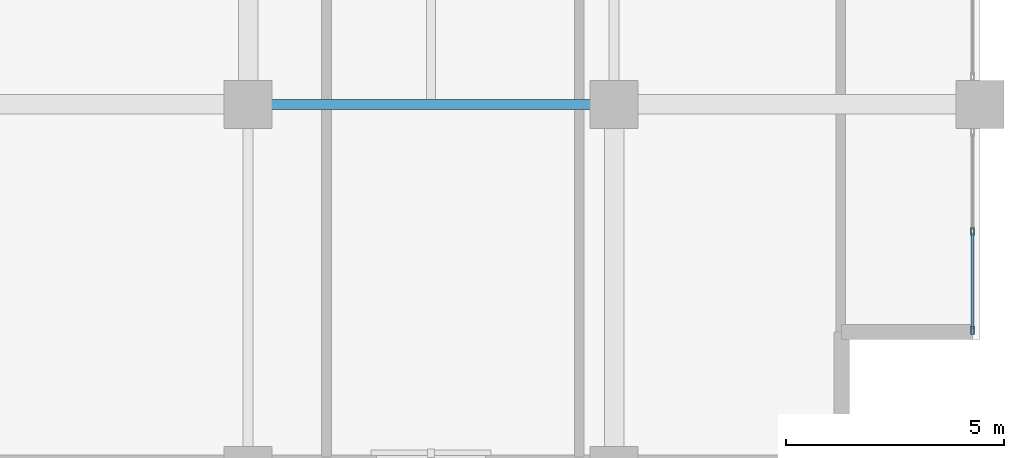
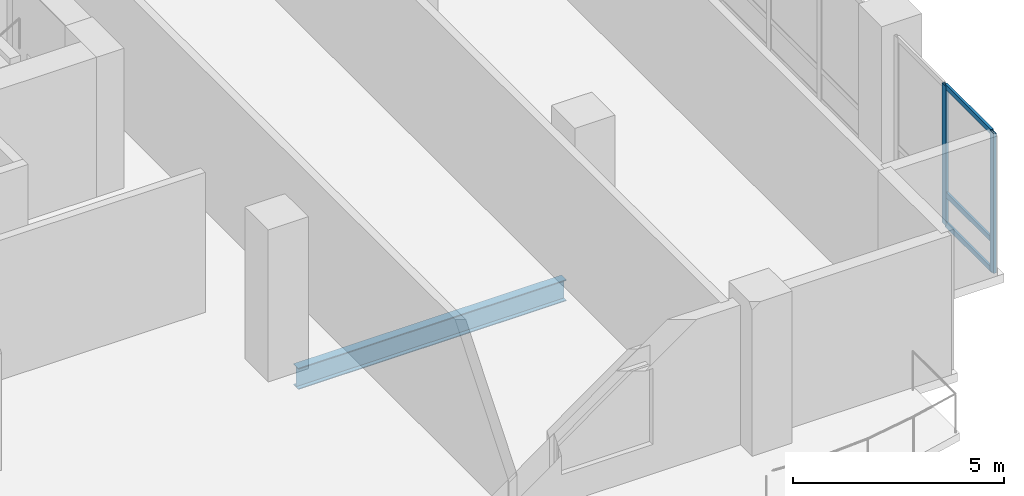
# One storey, part 3 of 25: 5 members, 1 beam, 1 element without a shape of its own.
"""IFC4 building model written with IfcOpenShell, lengths in metres."""

import ifcopenshell
import ifcopenshell.guid

model = None  # the IFC model being written
_history = None  # IfcOwnerHistory: only IFC2X3 demands one
_inside = {}  # id of a spatial element -> (the spatial element, [elements in it])
_under = {}  # id of a project, library or spatial element -> (it, [spatial elements below it])
_declared = {}  # id of a project -> (the project, [libraries it declares])
_typed = {}  # id of a type object -> (the type object, [elements of that type])
_made_of = {}  # id of a material, layer set ... -> (it, [elements and type objects made of it])


def new_model(schema):
    """Start an empty IFC model of exactly this schema.

    Asked for "IFC4X3", IfcOpenShell would pick the latest addendum, in which some entities
    have other attributes; the version numbers below select the first issue.
    IFC2X3 requires an IfcOwnerHistory on every rooted entity: one is made here for all.
    """
    global model, _history
    if schema == "IFC4X3":
        model = ifcopenshell.file(schema_version=(4, 3, 0, 0))
    else:
        model = ifcopenshell.file(schema=schema)
    _inside.clear()
    _under.clear()
    _declared.clear()
    _typed.clear()
    _made_of.clear()
    _history = None
    if model.schema == "IFC2X3":
        org = make("IfcOrganization", Name="unknown")
        user = make(
            "IfcPersonAndOrganization",
            ThePerson=make("IfcPerson", FamilyName="unknown"),
            TheOrganization=org,
        )
        app = make(
            "IfcApplication",
            ApplicationDeveloper=org,
            Version="unknown",
            ApplicationFullName="unknown",
            ApplicationIdentifier="unknown",
        )
        _history = make(
            "IfcOwnerHistory",
            OwningUser=user,
            OwningApplication=app,
            ChangeAction="ADDED",
            CreationDate=0,
        )
    return model


def make(cls, **values):
    """One entity of the class cls with the attributes given. An attribute that is None is left unset."""
    return model.create_entity(
        cls, **{name: value for name, value in values.items() if value is not None}
    )


def rooted(cls, **values):
    """An entity with a GlobalId (a new one), such as an element, a storey or a relation."""
    return make(cls, GlobalId=ifcopenshell.guid.new(), OwnerHistory=_history, **values)


def si_unit(unit_type, name, prefix=None):
    """IfcSIUnit, for example si_unit("LENGTHUNIT", "METRE", prefix="MILLI")."""
    return make("IfcSIUnit", UnitType=unit_type, Prefix=prefix, Name=name)


def assignment(units):
    """IfcUnitAssignment: the units of a project."""
    return None if units is None else make("IfcUnitAssignment", Units=units)


def point(xyz):
    """IfcCartesianPoint."""
    return None if xyz is None else make("IfcCartesianPoint", Coordinates=xyz)


def direction(xyz):
    """IfcDirection."""
    return None if xyz is None else make("IfcDirection", DirectionRatios=xyz)


def frame(location, z_axis=None, x_axis=None):
    """IfcAxis2Placement3D, a coordinate frame: its origin and axes. An axis left out is left unset."""
    return make(
        "IfcAxis2Placement3D",
        Location=point(location),
        Axis=direction(z_axis),
        RefDirection=direction(x_axis),
    )


def frame_2d(location, x_axis=None):
    """IfcAxis2Placement2D, a coordinate frame in the plane: its origin and x axis."""
    return make(
        "IfcAxis2Placement2D", Location=point(location), RefDirection=direction(x_axis)
    )


def origin():
    """The frame at (0, 0, 0) with its axes left unset."""
    return frame((0.0, 0.0, 0.0))


def origin_2d():
    """The frame at (0, 0) in the plane with its x axis left unset."""
    return frame_2d((0.0, 0.0))


def place(relative_to, where):
    """IfcLocalPlacement: puts the frame where relative to a parent placement (None: the world)."""
    return make(
        "IfcLocalPlacement", PlacementRelTo=relative_to, RelativePlacement=where
    )


def context(
    kind, dimensions, precision=None, world=None, true_north=None, identifier=None
):
    """IfcGeometricRepresentationContext, for example the 3D "Model" context."""
    return make(
        "IfcGeometricRepresentationContext",
        ContextIdentifier=identifier,
        ContextType=kind,
        CoordinateSpaceDimension=dimensions,
        Precision=precision,
        WorldCoordinateSystem=world,
        TrueNorth=true_north,
    )


def subcontext(parent, identifier, kind, view, scale=None):
    """IfcGeometricRepresentationSubContext, for example "Body" below "Model"."""
    return make(
        "IfcGeometricRepresentationSubContext",
        ContextIdentifier=identifier,
        ContextType=kind,
        ParentContext=parent,
        TargetScale=scale,
        TargetView=view,
    )


def project(units=None, contexts=None):
    """IfcProject with its units and contexts."""
    return rooted(
        "IfcProject",
        Name="project",
        RepresentationContexts=contexts,
        UnitsInContext=assignment(units),
    )


def spatial(cls, under=None, at=None, **own):
    """A site, building, storey or space (cls), placed at a placement, below another one or the project."""
    s = rooted(cls, ObjectPlacement=at, **own)
    if under is not None:
        _under.setdefault(under.id(), (under, []))[1].append(s)
    return s


def profile(cls, at=None, kind="AREA", **sizes):
    """A parametric profile (cls). Its sizes go by their IFC names, for example OverallWidth=200.0."""
    return make(cls, ProfileType=kind, Position=at, **sizes)


def hollow_rectangle(**sizes):
    """IfcRectangleHollowProfileDef."""
    return profile("IfcRectangleHollowProfileDef", **sizes)


def i_section(**sizes):
    """IfcIShapeProfileDef."""
    return profile("IfcIShapeProfileDef", **sizes)


def extrude(swept, where, along, depth):
    """IfcExtrudedAreaSolid: the profile swept, set in the frame where, extruded along a direction by depth."""
    return make(
        "IfcExtrudedAreaSolid",
        SweptArea=swept,
        Position=where,
        ExtrudedDirection=direction(along),
        Depth=depth,
    )


def shape(context_of_items, identifier, shape_type, items):
    """IfcShapeRepresentation: the items that make up one representation, for example the "Body"."""
    return make(
        "IfcShapeRepresentation",
        ContextOfItems=context_of_items,
        RepresentationIdentifier=identifier,
        RepresentationType=shape_type,
        Items=items,
    )


def material(Name=None, Category=None):
    """IfcMaterial."""
    return make("IfcMaterial", Name=Name, Category=Category)


def layer(
    of_material, thickness, ventilated=None, Name=None, Category=None, Priority=None
):
    """IfcMaterialLayer: one layer of a wall or slab, of a material (None: an air gap)."""
    return make(
        "IfcMaterialLayer",
        Material=of_material,
        LayerThickness=thickness,
        IsVentilated=ventilated,
        Name=Name,
        Category=Category,
        Priority=Priority,
    )


def layer_set(layers, Name=None):
    """IfcMaterialLayerSet."""
    return make("IfcMaterialLayerSet", MaterialLayers=layers, LayerSetName=Name)


def material_profile(
    of_material, cross_section, Name=None, Category=None, Priority=None
):
    """IfcMaterialProfile: a cross section and its material."""
    return make(
        "IfcMaterialProfile",
        Name=Name,
        Material=of_material,
        Profile=cross_section,
        Priority=Priority,
        Category=Category,
    )


def profile_set(profiles, Name=None, composite=None):
    """IfcMaterialProfileSet."""
    return make(
        "IfcMaterialProfileSet",
        Name=Name,
        MaterialProfiles=profiles,
        CompositeProfile=composite,
    )


def made_of(thing, what):
    """Note that an element or type object is made of a material, layer set ...; save() writes the relation."""
    if what is not None:
        _made_of.setdefault(what.id(), (what, []))[1].append(thing)
    return thing


def type_object(cls, material=None, **own):
    """A type object (cls), such as IfcWallType, which elements share."""
    return made_of(rooted(cls, **own), material)


def element(
    cls,
    number,
    at=None,
    inside=None,
    cuts=None,
    type_object=None,
    material=None,
    context=None,
    identifier="Body",
    shape_type=None,
    held_by="IfcProductDefinitionShape",
    body=None,
    shapes=None,
    **own,
):
    """One element of the class cls, such as IfcWall. Its Tag is "e" and its number.

    at: its placement. inside: the storey or other place that contains it. cuts: it is an
    opening in that element (IfcRelVoidsElement). A single representation is given by context,
    identifier, shape_type and body (its items); several are given by shapes. held_by: the class
    of the entity that holds the representations. save() writes the other relations.
    """
    e = rooted(cls, Tag="e%d" % number, ObjectPlacement=at, **own)
    if body is not None:
        shapes = [shape(context, identifier, shape_type, body)]
    if shapes is not None:
        e.Representation = make(held_by, Representations=shapes)
    if inside is not None:
        _inside.setdefault(inside.id(), (inside, []))[1].append(e)
    if cuts is not None:
        rooted(
            "IfcRelVoidsElement", RelatingBuildingElement=cuts, RelatedOpeningElement=e
        )
    if type_object is not None:
        _typed.setdefault(type_object.id(), (type_object, []))[1].append(e)
    return made_of(e, material)


def aggregate(whole, parts):
    """IfcRelAggregates: a whole, such as a stair, and the parts it consists of."""
    return rooted("IfcRelAggregates", RelatingObject=whole, RelatedObjects=parts)


def save(model, path):
    """Write the relations noted so far, then the file.

    IfcRelAggregates (storeys below a building ...), IfcRelContainedInSpatialStructure (elements
    in a storey), IfcRelDefinesByType, IfcRelAssociatesMaterial and IfcRelDeclares: one each for
    every whole, place, type object, material and project.
    """
    for whole, parts in _under.values():
        aggregate(whole, parts)
    for where, things in _inside.values():
        rooted(
            "IfcRelContainedInSpatialStructure",
            RelatedElements=things,
            RelatingStructure=where,
        )
    for kind, things in _typed.values():
        rooted("IfcRelDefinesByType", RelatedObjects=things, RelatingType=kind)
    for what, things in _made_of.values():
        rooted("IfcRelAssociatesMaterial", RelatedObjects=things, RelatingMaterial=what)
    for by, libraries in _declared.values():
        rooted("IfcRelDeclares", RelatingContext=by, RelatedDefinitions=libraries)
    model.write(path)


model = new_model("IFC4")

# Units and contexts
model_context = context("Model", 3, precision=1e-05, world=origin(), true_north=direction((0.0, 1.0)))
body_context = subcontext(model_context, "Body", "Model", "MODEL_VIEW")
ifc_project = project(units=[si_unit("LENGTHUNIT", "METRE"), si_unit("AREAUNIT", "SQUARE_METRE"), si_unit("VOLUMEUNIT", "CUBIC_METRE"), si_unit("PLANEANGLEUNIT", "RADIAN"), si_unit("MASSUNIT", "GRAM", prefix="KILO")], contexts=[model_context])

# Site, building, storey
site_placement = place(None, origin())
site = spatial("IfcSite", under=ifc_project, at=site_placement, CompositionType="ELEMENT")
building_placement = place(site_placement, origin())
building = spatial("IfcBuilding", under=site, at=building_placement, Name="Koriwani Terraces Tower", CompositionType="ELEMENT")
storey_placement = place(building_placement, frame((0.0, 0.0, 157.60009765625)))
storey = spatial("IfcBuildingStorey", under=building, at=storey_placement, Name="L38", CompositionType="ELEMENT", Elevation=157.60009765625)

# Curtain wall, members
ifc_material_1 = material(Name="Anodised Bronze Aluminium", Category="aluminium")
ifc_layer = layer(ifc_material_1, 0.169921875, Name="Anodised Bronze Aluminium")
ifc_layer_set = layer_set([ifc_layer], Name="Anodised Bronze Aluminium")
curtain_wall_type = type_object("IfcCurtainWallType", Name="CW_RES_ZONE3", PredefinedType="NOTDEFINED", material=ifc_layer_set)
curtain_wall_placement = place(storey_placement, origin())
curtain_wall = element("IfcCurtainWall", 1, at=curtain_wall_placement, inside=storey, type_object=curtain_wall_type, Name="L38 Unitised Curtain Wall (E_TIP) Bay 4", PredefinedType="NOTDEFINED")
ifc_material_profile_1 = material_profile(ifc_material_1, hollow_rectangle(XDim=0.074951171875, YDim=0.179931640625, WallThickness=0.006103515625, at=origin_2d()), Name="Anodised Bronze Aluminium", Category="LoadBearing")
ifc_profile_set_1 = profile_set([ifc_material_profile_1], Name="Anodised Bronze Aluminium")
member_type_1 = type_object("IfcMemberType", Name="CW_MULLION_180X75", PredefinedType="MULLION", material=ifc_profile_set_1)
member_1_placement = place(storey_placement, frame((75.425048828125, 5.482421875, 0.0), z_axis=(0.0, 0.0, 1.0), x_axis=(1.0, 0.0, 0.0)))
member_1 = element("IfcMember", 2, at=member_1_placement, type_object=member_type_1, Name="CW-Z3 mullion 2", PredefinedType="MULLION", context=body_context, shape_type="SweptSolid", body=[
    extrude(hollow_rectangle(XDim=0.074951171875, YDim=0.179931640625, WallThickness=0.006103515625, at=origin_2d()), origin(), (0.0, 0.0, 1.0), 4.0498046875),
])
member_2_placement = place(storey_placement, frame((75.425048828125, 3.21240234375, 0.0), z_axis=(0.0, 0.0, 1.0), x_axis=(1.0, 0.0, 0.0)))
member_2 = element("IfcMember", 3, at=member_2_placement, type_object=member_type_1, Name="CW-Z3 mullion 3", PredefinedType="MULLION", context=body_context, shape_type="SweptSolid", body=[
    extrude(hollow_rectangle(XDim=0.074951171875, YDim=0.179931640625, WallThickness=0.006103515625, at=origin_2d()), origin(), (0.0, 0.0, 1.0), 4.0498046875),
])
ifc_material_profile_2 = material_profile(ifc_material_1, hollow_rectangle(XDim=0.06494140625, YDim=0.14990234375, WallThickness=0.0048828125, at=origin_2d()), Name="Anodised Bronze Aluminium", Category="LoadBearing")
ifc_profile_set_2 = profile_set([ifc_material_profile_2], Name="Anodised Bronze Aluminium")
member_type_2 = type_object("IfcMemberType", Name="CW_TRANSOM_150X65", PredefinedType="USERDEFINED", material=ifc_profile_set_2)
member_3_placement = place(storey_placement, frame((75.425048828125, 5.445068359375, 0.032470703125), z_axis=(0.0, -1.0, 0.0), x_axis=(1.0, 0.0, 0.0)))
member_3 = element("IfcMember", 4, at=member_3_placement, type_object=member_type_2, Name="CW-Z3 transom 2.1", ObjectType="TRANSOM", PredefinedType="USERDEFINED", context=body_context, shape_type="SweptSolid", body=[
    extrude(hollow_rectangle(XDim=0.06494140625, YDim=0.14990234375, WallThickness=0.0048828125, at=origin_2d()), origin(), (0.0, 0.0, 1.0), 2.195068359375),
])
member_4_placement = place(storey_placement, frame((75.425048828125, 5.445068359375, 0.89990234375), z_axis=(0.0, -1.0, 0.0), x_axis=(1.0, 0.0, 0.0)))
member_4 = element("IfcMember", 5, at=member_4_placement, type_object=member_type_2, Name="CW-Z3 transom 2.2", ObjectType="TRANSOM", PredefinedType="USERDEFINED", context=body_context, shape_type="SweptSolid", body=[
    extrude(hollow_rectangle(XDim=0.06494140625, YDim=0.14990234375, WallThickness=0.0048828125, at=origin_2d()), origin(), (0.0, 0.0, 1.0), 2.195068359375),
])
member_5_placement = place(storey_placement, frame((75.425048828125, 5.445068359375, 4.017333984375), z_axis=(0.0, -1.0, 0.0), x_axis=(1.0, 0.0, 0.0)))
member_5 = element("IfcMember", 6, at=member_5_placement, type_object=member_type_2, Name="CW-Z3 transom 2.3", ObjectType="TRANSOM", PredefinedType="USERDEFINED", context=body_context, shape_type="SweptSolid", body=[
    extrude(hollow_rectangle(XDim=0.06494140625, YDim=0.14990234375, WallThickness=0.0048828125, at=origin_2d()), origin(), (0.0, 0.0, 1.0), 2.195068359375),
])
aggregate(curtain_wall, [member_1, member_2, member_3, member_4, member_5])

# Beam
ifc_material_2 = material(Name="Steel ASTM A572 Grade 50", Category="steel")
ifc_material_profile_3 = material_profile(ifc_material_2, i_section(OverallWidth=0.23095703125, OverallDepth=0.616943359375, WebThickness=0.015380859375, FlangeThickness=0.0244140625, at=origin_2d()), Name="Steel ASTM A572 Grade 50", Category="LoadBearing")
ifc_profile_set_3 = profile_set([ifc_material_profile_3], Name="Steel ASTM A572 Grade 50")
beam_type = type_object("IfcBeamType", Name="STEEL_BEAM_W610X195", PredefinedType="BEAM", material=ifc_profile_set_3)
beam_placement = place(storey_placement, frame((59.330078125, 8.39990234375, -0.55859375), z_axis=(1.0, 0.0, 0.0), x_axis=(0.0, 1.0, 0.0)))
element("IfcBeam", 7, at=beam_placement, inside=storey, type_object=beam_type, Name="L38 Grid Beam B (58.8-67.2m)", PredefinedType="BEAM", context=body_context, shape_type="SweptSolid", body=[
    extrude(i_section(OverallWidth=0.23095703125, OverallDepth=0.616943359375, WebThickness=0.015380859375, FlangeThickness=0.0244140625, at=origin_2d()), origin(), (0.0, 0.0, 1.0), 7.33984375),
])

save(model, "model.ifc")
